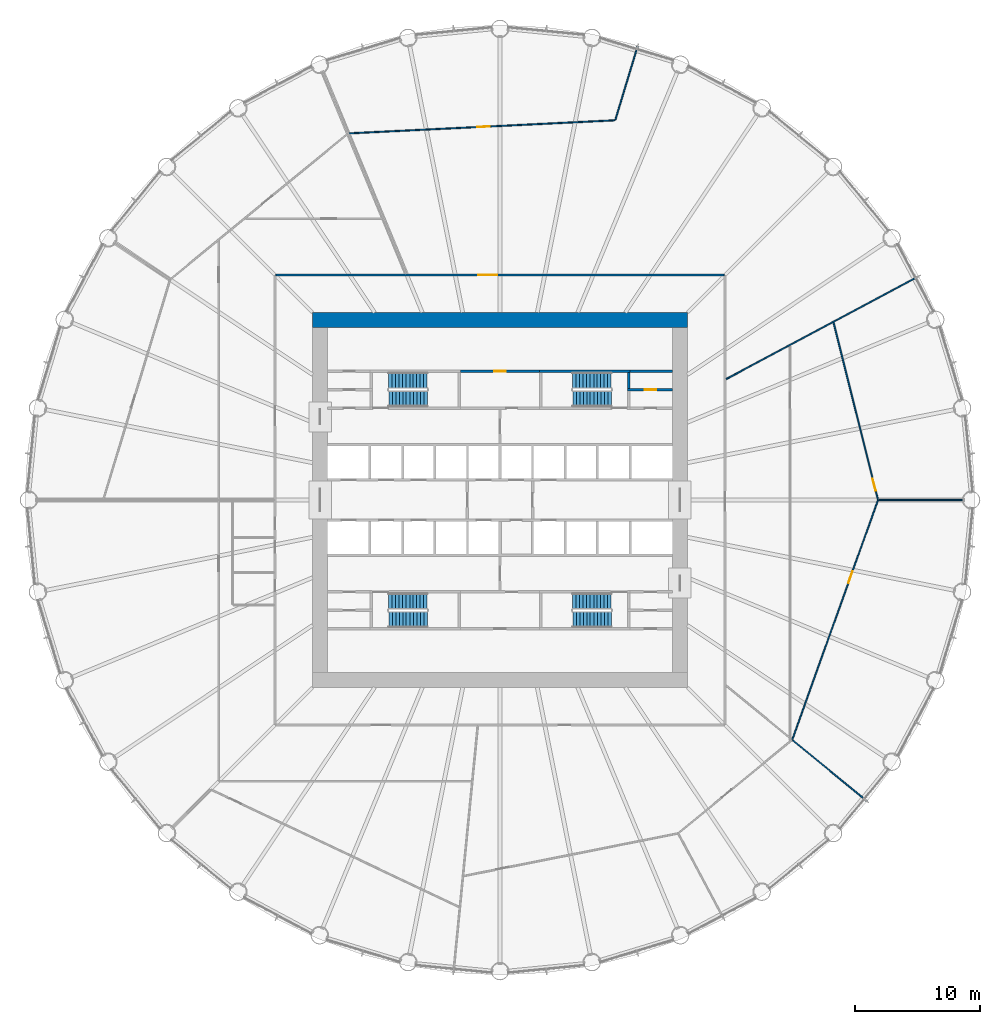
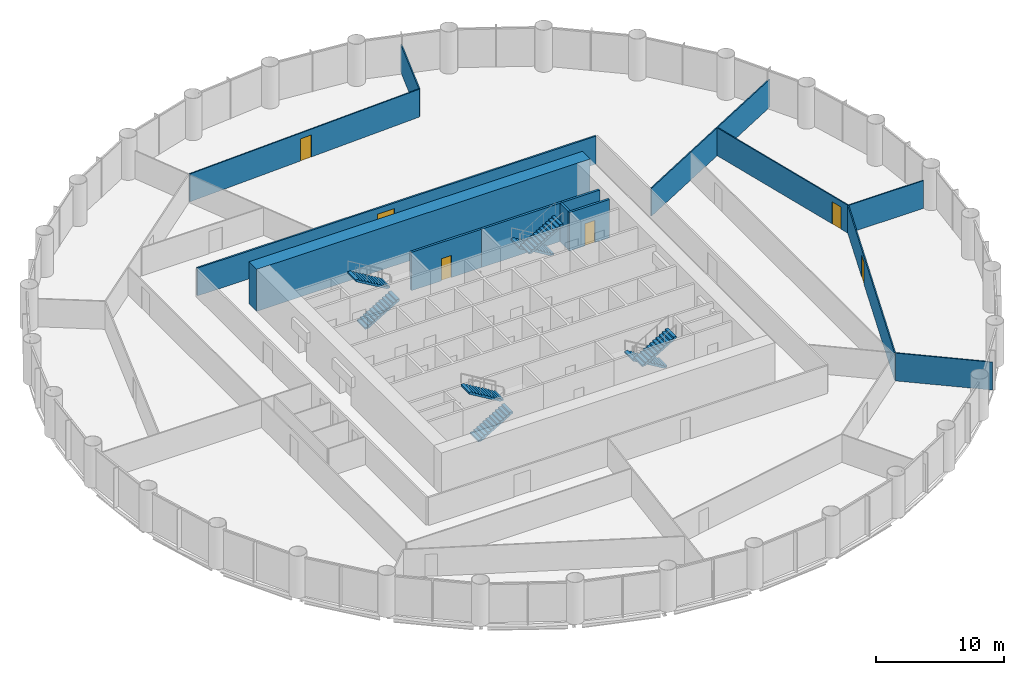
# One storey, part 13 of 14: 14 walls, 8 stair flights, 6 doors, 6 openings, 4 elements without a shape of their own.
"""IFC4 building model written with IfcOpenShell, lengths in metres."""

from ifc_helpers import new_model, si_unit, direction, frame, frame_2d, origin, place, context, subcontext, project, spatial, polyline, rectangle, outline, extrude, material, layer, layer_set, type_object, element, fill, aggregate, save


model = new_model("IFC4")

# Units and contexts
model_context = context("Model", 3, precision=1e-05, world=origin(), true_north=direction((0.0, 1.0)))
body_context = subcontext(model_context, "Body", "Model", "MODEL_VIEW")
ifc_project = project(units=[si_unit("LENGTHUNIT", "METRE"), si_unit("AREAUNIT", "SQUARE_METRE"), si_unit("VOLUMEUNIT", "CUBIC_METRE"), si_unit("PLANEANGLEUNIT", "RADIAN"), si_unit("MASSUNIT", "GRAM", prefix="KILO")], contexts=[model_context])

# Site, building, storey
site_placement = place(None, origin())
site = spatial("IfcSite", under=ifc_project, at=site_placement, CompositionType="ELEMENT")
building_placement = place(site_placement, origin())
building = spatial("IfcBuilding", under=site, at=building_placement, Name="Corvane Civic Tower", CompositionType="ELEMENT")
storey_placement = place(building_placement, frame((0.0, 0.0, 81.0)))
storey = spatial("IfcBuildingStorey", under=building, at=storey_placement, Name="L18", CompositionType="ELEMENT", Elevation=81.0)

# Wall
ifc_material_1 = material(Name="Concrete C80/95", Category="concrete")
ifc_layer_1 = layer(ifc_material_1, 1.199951171875)
ifc_layer_set_1 = layer_set([ifc_layer_1], Name="Concrete C80/95")
wall_type_1 = type_object("IfcWallType", Name="CORE WALL 1200 C80/95", PredefinedType="SHEAR", material=ifc_layer_set_1)
wall_1_placement = place(storey_placement, frame((-15.0, 14.39990234375, 0.0), z_axis=(0.0, 0.0, 1.0), x_axis=(1.0, 0.0, 0.0)))
element("IfcWall", 1, at=wall_1_placement, inside=storey, type_object=wall_type_1, Name="W-L18-core-N", PredefinedType="SHEAR", context=body_context, shape_type="SweptSolid", body=[
    extrude(rectangle(XDim=30.0, YDim=1.199951171875, at=frame_2d((15.0, 0.0))), origin(), (0.0, 0.0, 1.0), 4.0),
])

# Wall, opening, door
ifc_material_2 = material(Name="Concrete C30/37", Category="concrete")
ifc_layer_2 = layer(ifc_material_2, 0.199951171875)
ifc_layer_set_2 = layer_set([ifc_layer_2], Name="Concrete C30/37")
wall_type_2 = type_object("IfcWallType", Name="CR-WALL-200", PredefinedType="PARTITIONING", material=ifc_layer_set_2)
wall_2_placement = place(storey_placement, frame((10.199951171875, 8.824951171875, 0.0), z_axis=(0.0, 0.0, 1.0), x_axis=(1.0, 0.0, 0.0)))
wall_2 = element("IfcWall", 2, at=wall_2_placement, inside=storey, type_object=wall_type_2, Name="L18 partition wall", PredefinedType="PARTITIONING", context=body_context, shape_type="SweptSolid", body=[
    extrude(rectangle(XDim=3.60009765625, YDim=0.199951171875, at=frame_2d((1.800048828125, 0.0))), origin(), (0.0, 0.0, 1.0), 3.64990234375),
])
opening_1_placement = place(wall_2_placement, frame((1.39990234375, 0.0, 0.0)))
opening_1 = element("IfcOpeningElement", 3, at=opening_1_placement, cuts=wall_2, Name="Opening L18.C12", PredefinedType="OPENING", context=body_context, shape_type="SweptSolid", body=[
    extrude(rectangle(XDim=0.89990234375, YDim=2.10009765625, at=frame_2d((0.449951171875, 1.050048828125))), frame((0.0, 0.10986328125, 0.0), z_axis=(0.0, -1.0, 0.0), x_axis=(1.0, 0.0, 0.0)), (0.0, 0.0, 1.0), 0.219970703125),
])
ifc_material_3 = material(Name="Steel fire door leaf", Category="steel")
door_type_1 = type_object("IfcDoorType", Name="CR-DOOR-900", OperationType="SINGLE_SWING_LEFT", PredefinedType="DOOR", material=ifc_material_3)
door_1_placement = place(opening_1_placement, origin())
door_1 = element("IfcDoor", 4, at=door_1_placement, inside=storey, type_object=door_type_1, Name="L18 door", OperationType="SINGLE_SWING_LEFT", OverallHeight=2.10009765625, OverallWidth=0.89990234375, PredefinedType="DOOR", context=body_context, shape_type="SweptSolid", body=[
    extrude(rectangle(XDim=0.89990234375, YDim=2.10009765625, at=frame_2d((0.449951171875, 1.050048828125))), frame((0.0, 0.02490234375, 0.0), z_axis=(0.0, -1.0, 0.0), x_axis=(1.0, 0.0, 0.0)), (0.0, 0.0, 1.0), 0.050048828125),
])
fill(opening_1, door_1)

wall_3_placement = place(storey_placement, frame((-3.14990234375, 10.300048828125, 0.0), z_axis=(0.0, 0.0, 1.0), x_axis=(1.0, 0.0, 0.0)))
wall_3 = element("IfcWall", 5, at=wall_3_placement, inside=storey, type_object=wall_type_2, Name="L18 partition wall", PredefinedType="PARTITIONING", context=body_context, shape_type="SweptSolid", body=[
    extrude(rectangle(XDim=6.2998046875, YDim=0.199951171875, at=frame_2d((3.14990234375, 0.0))), origin(), (0.0, 0.0, 1.0), 3.64990234375),
])
opening_2_placement = place(wall_3_placement, frame((2.699951171875, 0.0, 0.0)))
opening_2 = element("IfcOpeningElement", 6, at=opening_2_placement, cuts=wall_3, Name="Opening L18.C04", PredefinedType="OPENING", context=body_context, shape_type="SweptSolid", body=[
    extrude(rectangle(XDim=0.89990234375, YDim=2.10009765625, at=frame_2d((0.449951171875, 1.050048828125))), frame((0.0, 0.10986328125, 0.0), z_axis=(0.0, -1.0, 0.0), x_axis=(1.0, 0.0, 0.0)), (0.0, 0.0, 1.0), 0.219970703125),
])
door_2_placement = place(opening_2_placement, origin())
door_2 = element("IfcDoor", 7, at=door_2_placement, inside=storey, type_object=door_type_1, Name="L18 door", OperationType="SINGLE_SWING_LEFT", OverallHeight=2.10009765625, OverallWidth=0.89990234375, PredefinedType="DOOR", context=body_context, shape_type="SweptSolid", body=[
    extrude(rectangle(XDim=0.89990234375, YDim=2.10009765625, at=frame_2d((0.449951171875, 1.050048828125))), frame((0.0, 0.02490234375, 0.0), z_axis=(0.0, -1.0, 0.0), x_axis=(1.0, 0.0, 0.0)), (0.0, 0.0, 1.0), 0.050048828125),
])
fill(opening_2, door_2)

# Walls
wall_4_placement = place(storey_placement, origin())
element("IfcWall", 8, at=wall_4_placement, inside=storey, type_object=wall_type_2, Name="L18 core partition wall", PredefinedType="PARTITIONING", context=body_context, shape_type="SweptSolid", body=[
    extrude(outline(polyline([(10.39990234375, 10.199951171875), (10.39990234375, 10.39990234375), (13.800048828125, 10.39990234375), (13.800048828125, 10.199951171875), (10.39990234375, 10.199951171875)])), origin(), (0.0, 0.0, 1.0), 3.64990234375),
])
ifc_material_4 = material(Name="Plasterboard")
ifc_layer_3 = layer(ifc_material_4, 0.10009765625)
ifc_layer_set_3 = layer_set([ifc_layer_3], Name="Plasterboard")
wall_type_3 = type_object("IfcWallType", Name="Partition 100 plasterboard on studs", PredefinedType="PARTITIONING", material=ifc_layer_set_3)
wall_5_placement = place(storey_placement, frame((23.408203125, -19.210693359375, 0.0), z_axis=(0.0, 0.0, 1.0), x_axis=(0.773027331533, -0.634372717496, 0.0)))
element("IfcWall", 9, at=wall_5_placement, inside=storey, type_object=wall_type_3, Name="Partition L18.007", PredefinedType="PARTITIONING", context=body_context, shape_type="SweptSolid", body=[
    extrude(rectangle(XDim=7.668212890625, YDim=0.10009765625, at=frame_2d((3.833984375, 0.0))), origin(), (0.0, 0.0, 1.0), 2.64990234375),
])

# Wall, opening, door
wall_6_placement = place(storey_placement, frame((23.388427734375, -19.151611328125, 0.0), z_axis=(0.0, 0.0, 1.0), x_axis=(0.336885502115, 0.941545622083, 0.0)))
wall_6 = element("IfcWall", 10, at=wall_6_placement, inside=storey, type_object=wall_type_3, Name="Partition L18.011", PredefinedType="PARTITIONING", context=body_context, shape_type="SweptSolid", body=[
    extrude(rectangle(XDim=20.305419921875, YDim=0.10009765625, at=frame_2d((10.15283203125, 0.0))), origin(), (0.0, 0.0, 1.0), 2.64990234375),
])
opening_3_placement = place(wall_6_placement, frame((13.295166015625, 0.0, 0.0)))
opening_3 = element("IfcOpeningElement", 11, at=opening_3_placement, cuts=wall_6, Name="Opening L18.004", PredefinedType="OPENING", context=body_context, shape_type="SweptSolid", body=[
    extrude(rectangle(XDim=1.0, YDim=2.10009765625, at=frame_2d((0.5, 1.050048828125))), frame((0.0, 0.06005859375, 0.0), z_axis=(0.0, -1.0, 0.0), x_axis=(1.0, 0.0, 0.0)), (0.0, 0.0, 1.0), 0.1201171875),
])
ifc_material_5 = material(Name="Timber", Category="wood")
door_type_2 = type_object("IfcDoorType", Name="Single door 1000", OperationType="NOTDEFINED", PredefinedType="DOOR", material=ifc_material_5)
door_3_placement = place(opening_3_placement, frame((1.0, 0.0, 0.0), z_axis=(0.0, 0.0, 1.0), x_axis=(-1.0, 0.0, 0.0)))
door_3 = element("IfcDoor", 12, at=door_3_placement, inside=storey, type_object=door_type_2, Name="Door L18.004", OperationType="SINGLE_SWING_LEFT", OverallHeight=2.10009765625, OverallWidth=1.0, PredefinedType="DOOR", context=body_context, shape_type="SweptSolid", body=[
    extrude(rectangle(XDim=1.0, YDim=2.10009765625, at=frame_2d((0.5, 1.050048828125))), frame((0.0, 0.02490234375, 0.0), z_axis=(0.0, -1.0, 0.0), x_axis=(1.0, 0.0, 0.0)), (0.0, 0.0, 1.0), 0.050048828125),
])
fill(opening_3, door_3)

# Wall
wall_7_placement = place(storey_placement, frame((30.280029296875, 0.0, 0.0), z_axis=(0.0, 0.0, 1.0), x_axis=(1.0, 0.0, 0.0)))
element("IfcWall", 13, at=wall_7_placement, inside=storey, type_object=wall_type_3, Name="Partition L18.022", PredefinedType="PARTITIONING", context=body_context, shape_type="SweptSolid", body=[
    extrude(rectangle(XDim=6.7099609375, YDim=0.10009765625, at=frame_2d((3.35498046875, 0.0))), origin(), (0.0, 0.0, 1.0), 2.64990234375),
])

# Wall, opening, door
wall_8_placement = place(storey_placement, frame((26.685546875, 14.193359375, 0.0), z_axis=(0.0, 0.0, 1.0), x_axis=(0.242988296058, -0.970029220168, 0.0)))
wall_8 = element("IfcWall", 14, at=wall_8_placement, inside=storey, type_object=wall_type_3, Name="Partition L18.023", PredefinedType="PARTITIONING", context=body_context, shape_type="SweptSolid", body=[
    extrude(rectangle(XDim=14.5927734375, YDim=0.10009765625, at=frame_2d((7.29638671875, 0.0))), origin(), (0.0, 0.0, 1.0), 2.64990234375),
])
opening_4_placement = place(wall_8_placement, frame((12.87353515625, 0.0, 0.0)))
opening_4 = element("IfcOpeningElement", 15, at=opening_4_placement, cuts=wall_8, Name="Opening L18.003", PredefinedType="OPENING", context=body_context, shape_type="SweptSolid", body=[
    extrude(rectangle(XDim=1.0, YDim=2.10009765625, at=frame_2d((0.5, 1.050048828125))), frame((0.0, 0.06005859375, 0.0), z_axis=(0.0, -1.0, 0.0), x_axis=(1.0, 0.0, 0.0)), (0.0, 0.0, 1.0), 0.1201171875),
])
door_4_placement = place(opening_4_placement, origin())
door_4 = element("IfcDoor", 16, at=door_4_placement, inside=storey, type_object=door_type_2, Name="Door L18.003", OperationType="SINGLE_SWING_RIGHT", OverallHeight=2.10009765625, OverallWidth=1.0, PredefinedType="DOOR", context=body_context, shape_type="SweptSolid", body=[
    extrude(rectangle(XDim=1.0, YDim=2.10009765625, at=frame_2d((0.5, 1.050048828125))), frame((0.0, 0.02490234375, 0.0), z_axis=(0.0, -1.0, 0.0), x_axis=(1.0, 0.0, 0.0)), (0.0, 0.0, 1.0), 0.050048828125),
])
fill(opening_4, door_4)

# Wall
wall_9_placement = place(storey_placement, frame((18.0986328125, 9.673828125, 0.0), z_axis=(0.0, 0.0, 1.0), x_axis=(0.881916707753, 0.471405261517, 0.0)))
element("IfcWall", 17, at=wall_9_placement, inside=storey, type_object=wall_type_3, Name="Partition L18.025", PredefinedType="PARTITIONING", context=body_context, shape_type="SweptSolid", body=[
    extrude(rectangle(XDim=17.428466796875, YDim=0.10009765625, at=frame_2d((8.71435546875, 0.0))), origin(), (0.0, 0.0, 1.0), 2.64990234375),
])

# Wall, opening, door
wall_10_placement = place(storey_placement, frame((-12.076416015625, 29.330078125, 0.0), z_axis=(0.0, 0.0, 1.0), x_axis=(0.998795529812, 0.049066175999, 0.0)))
wall_10 = element("IfcWall", 18, at=wall_10_placement, inside=storey, type_object=wall_type_3, Name="Partition L18.031", PredefinedType="PARTITIONING", context=body_context, shape_type="SweptSolid", body=[
    extrude(rectangle(XDim=21.28125, YDim=0.10009765625, at=frame_2d((10.640625, 0.0))), origin(), (0.0, 0.0, 1.0), 2.64990234375),
])
opening_5_placement = place(wall_10_placement, frame((10.26123046875, 0.0, 0.0)))
opening_5 = element("IfcOpeningElement", 19, at=opening_5_placement, cuts=wall_10, Name="Opening L18.001", PredefinedType="OPENING", context=body_context, shape_type="SweptSolid", body=[
    extrude(rectangle(XDim=1.0, YDim=2.10009765625, at=frame_2d((0.5, 1.050048828125))), frame((0.0, 0.06005859375, 0.0), z_axis=(0.0, -1.0, 0.0), x_axis=(1.0, 0.0, 0.0)), (0.0, 0.0, 1.0), 0.1201171875),
])
door_5_placement = place(opening_5_placement, origin())
door_5 = element("IfcDoor", 20, at=door_5_placement, inside=storey, type_object=door_type_2, Name="Door L18.001", OperationType="SINGLE_SWING_LEFT", OverallHeight=2.10009765625, OverallWidth=1.0, PredefinedType="DOOR", context=body_context, shape_type="SweptSolid", body=[
    extrude(rectangle(XDim=1.0, YDim=2.10009765625, at=frame_2d((0.5, 1.050048828125))), frame((0.0, 0.02490234375, 0.0), z_axis=(0.0, -1.0, 0.0), x_axis=(1.0, 0.0, 0.0)), (0.0, 0.0, 1.0), 0.050048828125),
])
fill(opening_5, door_5)

# Walls
wall_11_placement = place(storey_placement, frame((9.224609375, 30.40966796875, 0.0), z_axis=(0.0, 0.0, 1.0), x_axis=(0.290289519442, 0.956938866857, 0.0)))
element("IfcWall", 21, at=wall_11_placement, inside=storey, type_object=wall_type_3, Name="Partition L18.032", PredefinedType="PARTITIONING", context=body_context, shape_type="SweptSolid", body=[
    extrude(rectangle(XDim=6.17236328125, YDim=0.10009765625, at=frame_2d((3.086181640625, 0.0))), origin(), (0.0, 0.0, 1.0), 2.64990234375),
])
ifc_material_6 = material(Name="Concrete C50/60", Category="concrete")
ifc_layer_4 = layer(ifc_material_6, 0.199951171875)
ifc_layer_set_4 = layer_set([ifc_layer_4], Name="Concrete C50/60")
wall_type_4 = type_object("IfcWallType", Name="ST-WALL-200", PredefinedType="SHEAR", material=ifc_layer_set_4)
wall_12_placement = place(storey_placement, origin())
element("IfcWall", 22, at=wall_12_placement, inside=storey, type_object=wall_type_4, Name="L18 stair enclosure wall", PredefinedType="SHEAR", context=body_context, shape_type="SweptSolid", body=[
    extrude(outline(polyline([(10.39990234375, 10.199951171875), (3.14990234375, 10.199951171875), (3.14990234375, 10.39990234375), (10.39990234375, 10.39990234375), (10.39990234375, 10.199951171875)])), origin(), (0.0, 0.0, 1.0), 3.64990234375),
])
wall_13_placement = place(storey_placement, origin())
element("IfcWall", 23, at=wall_13_placement, inside=storey, type_object=wall_type_4, Name="L18 stair enclosure wall", PredefinedType="SHEAR", context=body_context, shape_type="SweptSolid", body=[
    extrude(outline(polyline([(10.39990234375, 8.925048828125), (10.199951171875, 8.925048828125), (10.199951171875, 10.199951171875), (10.39990234375, 10.199951171875), (10.39990234375, 8.925048828125)])), origin(), (0.0, 0.0, 1.0), 3.64990234375),
])

# Wall, opening, door
ifc_material_7 = material(Name="Plasterboard")
ifc_layer_5 = layer(ifc_material_7, 0.14990234375)
ifc_layer_set_5 = layer_set([ifc_layer_5], Name="Plasterboard")
wall_type_5 = type_object("IfcWallType", Name="Tenancy wall 150 EI 60", PredefinedType="PARTITIONING", material=ifc_layer_set_5)
wall_14_placement = place(storey_placement, frame((-17.925048828125, 18.0, 0.0), z_axis=(0.0, 0.0, 1.0), x_axis=(1.0, 0.0, 0.0)))
wall_14 = element("IfcWall", 24, at=wall_14_placement, inside=storey, type_object=wall_type_5, Name="Partition L18.028", PredefinedType="PARTITIONING", context=body_context, shape_type="SweptSolid", body=[
    extrude(rectangle(XDim=35.85009765625, YDim=0.14990234375, at=frame_2d((17.925048828125, 0.0))), origin(), (0.0, 0.0, 1.0), 2.64990234375),
])
opening_6_placement = place(wall_14_placement, frame((16.193603515625, 0.0, 0.0)))
opening_6 = element("IfcOpeningElement", 25, at=opening_6_placement, cuts=wall_14, Name="Opening L18.002", PredefinedType="OPENING", context=body_context, shape_type="SweptSolid", body=[
    extrude(rectangle(XDim=1.5, YDim=2.10009765625, at=frame_2d((0.75, 1.050048828125))), frame((0.0, 0.0849609375, 0.0), z_axis=(0.0, -1.0, 0.0), x_axis=(1.0, 0.0, 0.0)), (0.0, 0.0, 1.0), 0.169921875),
])
ifc_material_8 = material(Name="Steel and timber", Category="steel")
door_type_3 = type_object("IfcDoorType", Name="Fire door FD60 double 1500", OperationType="NOTDEFINED", PredefinedType="DOOR", material=ifc_material_8)
door_6_placement = place(opening_6_placement, origin())
door_6 = element("IfcDoor", 26, at=door_6_placement, inside=storey, type_object=door_type_3, Name="Door L18.002", OperationType="DOUBLE_DOOR_SINGLE_SWING", OverallHeight=2.10009765625, OverallWidth=1.5, PredefinedType="DOOR", context=body_context, shape_type="SweptSolid", body=[
    extrude(rectangle(XDim=1.5, YDim=2.10009765625, at=frame_2d((0.75, 1.050048828125))), frame((0.0, 0.02490234375, 0.0), z_axis=(0.0, -1.0, 0.0), x_axis=(1.0, 0.0, 0.0)), (0.0, 0.0, 1.0), 0.050048828125),
])
fill(opening_6, door_6)

# Stair, stair flights
ifc_material_9 = material(Name="Concrete C40/50", Category="concrete")
stair_type = type_object("IfcStairType", Name="ST-STAIR-HALFTURN", PredefinedType="HALF_TURN_STAIR", material=ifc_material_9)
stair_1_placement = place(storey_placement, origin())
stair_1 = element("IfcStair", 27, at=stair_1_placement, inside=storey, type_object=stair_type, Name="L18 Exit stair ST1", PredefinedType="HALF_TURN_STAIR")
ifc_material_10 = material(Name="Concrete C40/50", Category="concrete")
stair_flight_type = type_object("IfcStairFlightType", Name="ST-FLIGHT-RC", PredefinedType="STRAIGHT", material=ifc_material_10)
stair_flight_1_placement = place(storey_placement, frame((8.89990234375, 9.550048828125, 0.0), z_axis=(0.0, 0.0, 1.0), x_axis=(-1.0, 0.0, 0.0)))
stair_flight_1 = element("IfcStairFlight", 28, at=stair_flight_1_placement, type_object=stair_flight_type, Name="ST1 flight 1", NumberOfRisers=12, NumberOfTreads=11, PredefinedType="STRAIGHT", RiserHeight=0.166666667, TreadLength=0.28, context=body_context, shape_type="SweptSolid", body=[
    extrude(outline(polyline([(0.0, 0.0), (0.0, 0.166748046875), (0.280029296875, 0.166748046875), (0.280029296875, 0.333251953125), (0.56005859375, 0.333251953125), (0.56005859375, 0.5), (0.840087890625, 0.5), (0.840087890625, 0.666748046875), (1.1201171875, 0.666748046875), (1.1201171875, 0.833251953125), (1.39990234375, 0.833251953125), (1.39990234375, 1.0), (1.679931640625, 1.0), (1.679931640625, 1.166748046875), (1.9599609375, 1.166748046875), (1.9599609375, 1.333251953125), (2.239990234375, 1.333251953125), (2.239990234375, 1.5), (2.52001953125, 1.5), (2.52001953125, 1.666748046875), (2.800048828125, 1.666748046875), (2.800048828125, 1.833251953125), (3.080078125, 1.833251953125), (3.080078125, 2.0), (3.080078125, 1.658935546875), (0.29296875, 0.0), (0.0, 0.0)])), frame((0.0, 0.64990234375, 0.0), z_axis=(0.0, -1.0, 0.0), x_axis=(1.0, 0.0, 0.0)), (0.0, 0.0, 1.0), 1.300048828125),
])
stair_flight_2_placement = place(storey_placement, frame((5.820068359375, 8.10009765625, 2.0), z_axis=(0.0, 0.0, 1.0), x_axis=(1.0, 0.0, 0.0)))
stair_flight_2 = element("IfcStairFlight", 29, at=stair_flight_2_placement, type_object=stair_flight_type, Name="ST1 flight 2", NumberOfRisers=12, NumberOfTreads=11, PredefinedType="STRAIGHT", RiserHeight=0.166666667, TreadLength=0.28, context=body_context, shape_type="SweptSolid", body=[
    extrude(outline(polyline([(0.0, 0.0), (0.0, 0.166748046875), (0.280029296875, 0.166748046875), (0.280029296875, 0.333251953125), (0.56005859375, 0.333251953125), (0.56005859375, 0.5), (0.840087890625, 0.5), (0.840087890625, 0.666748046875), (1.1201171875, 0.666748046875), (1.1201171875, 0.833251953125), (1.39990234375, 0.833251953125), (1.39990234375, 1.0), (1.679931640625, 1.0), (1.679931640625, 1.166748046875), (1.9599609375, 1.166748046875), (1.9599609375, 1.333251953125), (2.239990234375, 1.333251953125), (2.239990234375, 1.5), (2.52001953125, 1.5), (2.52001953125, 1.666748046875), (2.800048828125, 1.666748046875), (2.800048828125, 1.833251953125), (3.080078125, 1.833251953125), (3.080078125, 2.0), (3.080078125, 1.658935546875), (0.29296875, 0.0), (0.0, 0.0)])), frame((0.0, 0.64990234375, 0.0), z_axis=(0.0, -1.0, 0.0), x_axis=(1.0, 0.0, 0.0)), (0.0, 0.0, 1.0), 1.300048828125),
])
aggregate(stair_1, [stair_flight_1, stair_flight_2])

stair_2_placement = place(storey_placement, origin())
stair_2 = element("IfcStair", 30, at=stair_2_placement, inside=storey, type_object=stair_type, Name="L18 Exit stair ST2", PredefinedType="HALF_TURN_STAIR")
stair_flight_3_placement = place(storey_placement, frame((8.89990234375, -8.10009765625, 0.0), z_axis=(0.0, 0.0, 1.0), x_axis=(-1.0, 0.0, 0.0)))
stair_flight_3 = element("IfcStairFlight", 31, at=stair_flight_3_placement, type_object=stair_flight_type, Name="ST2 flight 1", NumberOfRisers=12, NumberOfTreads=11, PredefinedType="STRAIGHT", RiserHeight=0.166666667, TreadLength=0.28, context=body_context, shape_type="SweptSolid", body=[
    extrude(outline(polyline([(0.0, 0.0), (0.0, 0.166748046875), (0.280029296875, 0.166748046875), (0.280029296875, 0.333251953125), (0.56005859375, 0.333251953125), (0.56005859375, 0.5), (0.840087890625, 0.5), (0.840087890625, 0.666748046875), (1.1201171875, 0.666748046875), (1.1201171875, 0.833251953125), (1.39990234375, 0.833251953125), (1.39990234375, 1.0), (1.679931640625, 1.0), (1.679931640625, 1.166748046875), (1.9599609375, 1.166748046875), (1.9599609375, 1.333251953125), (2.239990234375, 1.333251953125), (2.239990234375, 1.5), (2.52001953125, 1.5), (2.52001953125, 1.666748046875), (2.800048828125, 1.666748046875), (2.800048828125, 1.833251953125), (3.080078125, 1.833251953125), (3.080078125, 2.0), (3.080078125, 1.658935546875), (0.29296875, 0.0), (0.0, 0.0)])), frame((0.0, 0.64990234375, 0.0), z_axis=(0.0, -1.0, 0.0), x_axis=(1.0, 0.0, 0.0)), (0.0, 0.0, 1.0), 1.300048828125),
])
stair_flight_4_placement = place(storey_placement, frame((5.820068359375, -9.550048828125, 2.0), z_axis=(0.0, 0.0, 1.0), x_axis=(1.0, 0.0, 0.0)))
stair_flight_4 = element("IfcStairFlight", 32, at=stair_flight_4_placement, type_object=stair_flight_type, Name="ST2 flight 2", NumberOfRisers=12, NumberOfTreads=11, PredefinedType="STRAIGHT", RiserHeight=0.166666667, TreadLength=0.28, context=body_context, shape_type="SweptSolid", body=[
    extrude(outline(polyline([(0.0, 0.0), (0.0, 0.166748046875), (0.280029296875, 0.166748046875), (0.280029296875, 0.333251953125), (0.56005859375, 0.333251953125), (0.56005859375, 0.5), (0.840087890625, 0.5), (0.840087890625, 0.666748046875), (1.1201171875, 0.666748046875), (1.1201171875, 0.833251953125), (1.39990234375, 0.833251953125), (1.39990234375, 1.0), (1.679931640625, 1.0), (1.679931640625, 1.166748046875), (1.9599609375, 1.166748046875), (1.9599609375, 1.333251953125), (2.239990234375, 1.333251953125), (2.239990234375, 1.5), (2.52001953125, 1.5), (2.52001953125, 1.666748046875), (2.800048828125, 1.666748046875), (2.800048828125, 1.833251953125), (3.080078125, 1.833251953125), (3.080078125, 2.0), (3.080078125, 1.658935546875), (0.29296875, 0.0), (0.0, 0.0)])), frame((0.0, 0.64990234375, 0.0), z_axis=(0.0, -1.0, 0.0), x_axis=(1.0, 0.0, 0.0)), (0.0, 0.0, 1.0), 1.300048828125),
])
aggregate(stair_2, [stair_flight_3, stair_flight_4])

stair_3_placement = place(storey_placement, origin())
stair_3 = element("IfcStair", 33, at=stair_3_placement, inside=storey, type_object=stair_type, Name="L18 Exit stair ST3", PredefinedType="HALF_TURN_STAIR")
stair_flight_5_placement = place(storey_placement, frame((-8.89990234375, -9.550048828125, 0.0), z_axis=(0.0, 0.0, 1.0), x_axis=(1.0, 0.0, 0.0)))
stair_flight_5 = element("IfcStairFlight", 34, at=stair_flight_5_placement, type_object=stair_flight_type, Name="ST3 flight 1", NumberOfRisers=12, NumberOfTreads=11, PredefinedType="STRAIGHT", RiserHeight=0.166666667, TreadLength=0.28, context=body_context, shape_type="SweptSolid", body=[
    extrude(outline(polyline([(0.0, 0.0), (0.0, 0.166748046875), (0.280029296875, 0.166748046875), (0.280029296875, 0.333251953125), (0.56005859375, 0.333251953125), (0.56005859375, 0.5), (0.840087890625, 0.5), (0.840087890625, 0.666748046875), (1.1201171875, 0.666748046875), (1.1201171875, 0.833251953125), (1.39990234375, 0.833251953125), (1.39990234375, 1.0), (1.679931640625, 1.0), (1.679931640625, 1.166748046875), (1.9599609375, 1.166748046875), (1.9599609375, 1.333251953125), (2.239990234375, 1.333251953125), (2.239990234375, 1.5), (2.52001953125, 1.5), (2.52001953125, 1.666748046875), (2.800048828125, 1.666748046875), (2.800048828125, 1.833251953125), (3.080078125, 1.833251953125), (3.080078125, 2.0), (3.080078125, 1.658935546875), (0.29296875, 0.0), (0.0, 0.0)])), frame((0.0, 0.64990234375, 0.0), z_axis=(0.0, -1.0, 0.0), x_axis=(1.0, 0.0, 0.0)), (0.0, 0.0, 1.0), 1.300048828125),
])
stair_flight_6_placement = place(storey_placement, frame((-5.820068359375, -8.10009765625, 2.0), z_axis=(0.0, 0.0, 1.0), x_axis=(-1.0, 0.0, 0.0)))
stair_flight_6 = element("IfcStairFlight", 35, at=stair_flight_6_placement, type_object=stair_flight_type, Name="ST3 flight 2", NumberOfRisers=12, NumberOfTreads=11, PredefinedType="STRAIGHT", RiserHeight=0.166666667, TreadLength=0.28, context=body_context, shape_type="SweptSolid", body=[
    extrude(outline(polyline([(0.0, 0.0), (0.0, 0.166748046875), (0.280029296875, 0.166748046875), (0.280029296875, 0.333251953125), (0.56005859375, 0.333251953125), (0.56005859375, 0.5), (0.840087890625, 0.5), (0.840087890625, 0.666748046875), (1.1201171875, 0.666748046875), (1.1201171875, 0.833251953125), (1.39990234375, 0.833251953125), (1.39990234375, 1.0), (1.679931640625, 1.0), (1.679931640625, 1.166748046875), (1.9599609375, 1.166748046875), (1.9599609375, 1.333251953125), (2.239990234375, 1.333251953125), (2.239990234375, 1.5), (2.52001953125, 1.5), (2.52001953125, 1.666748046875), (2.800048828125, 1.666748046875), (2.800048828125, 1.833251953125), (3.080078125, 1.833251953125), (3.080078125, 2.0), (3.080078125, 1.658935546875), (0.29296875, 0.0), (0.0, 0.0)])), frame((0.0, 0.64990234375, 0.0), z_axis=(0.0, -1.0, 0.0), x_axis=(1.0, 0.0, 0.0)), (0.0, 0.0, 1.0), 1.300048828125),
])
aggregate(stair_3, [stair_flight_5, stair_flight_6])

stair_4_placement = place(storey_placement, origin())
stair_4 = element("IfcStair", 36, at=stair_4_placement, inside=storey, type_object=stair_type, Name="L18 Exit stair ST4", PredefinedType="HALF_TURN_STAIR")
stair_flight_7_placement = place(storey_placement, frame((-8.89990234375, 8.10009765625, 0.0), z_axis=(0.0, 0.0, 1.0), x_axis=(1.0, 0.0, 0.0)))
stair_flight_7 = element("IfcStairFlight", 37, at=stair_flight_7_placement, type_object=stair_flight_type, Name="ST4 flight 1", NumberOfRisers=12, NumberOfTreads=11, PredefinedType="STRAIGHT", RiserHeight=0.166666667, TreadLength=0.28, context=body_context, shape_type="SweptSolid", body=[
    extrude(outline(polyline([(0.0, 0.0), (0.0, 0.166748046875), (0.280029296875, 0.166748046875), (0.280029296875, 0.333251953125), (0.56005859375, 0.333251953125), (0.56005859375, 0.5), (0.840087890625, 0.5), (0.840087890625, 0.666748046875), (1.1201171875, 0.666748046875), (1.1201171875, 0.833251953125), (1.39990234375, 0.833251953125), (1.39990234375, 1.0), (1.679931640625, 1.0), (1.679931640625, 1.166748046875), (1.9599609375, 1.166748046875), (1.9599609375, 1.333251953125), (2.239990234375, 1.333251953125), (2.239990234375, 1.5), (2.52001953125, 1.5), (2.52001953125, 1.666748046875), (2.800048828125, 1.666748046875), (2.800048828125, 1.833251953125), (3.080078125, 1.833251953125), (3.080078125, 2.0), (3.080078125, 1.658935546875), (0.29296875, 0.0), (0.0, 0.0)])), frame((0.0, 0.64990234375, 0.0), z_axis=(0.0, -1.0, 0.0), x_axis=(1.0, 0.0, 0.0)), (0.0, 0.0, 1.0), 1.300048828125),
])
stair_flight_8_placement = place(storey_placement, frame((-5.820068359375, 9.550048828125, 2.0), z_axis=(0.0, 0.0, 1.0), x_axis=(-1.0, 0.0, 0.0)))
stair_flight_8 = element("IfcStairFlight", 38, at=stair_flight_8_placement, type_object=stair_flight_type, Name="ST4 flight 2", NumberOfRisers=12, NumberOfTreads=11, PredefinedType="STRAIGHT", RiserHeight=0.166666667, TreadLength=0.28, context=body_context, shape_type="SweptSolid", body=[
    extrude(outline(polyline([(0.0, 0.0), (0.0, 0.166748046875), (0.280029296875, 0.166748046875), (0.280029296875, 0.333251953125), (0.56005859375, 0.333251953125), (0.56005859375, 0.5), (0.840087890625, 0.5), (0.840087890625, 0.666748046875), (1.1201171875, 0.666748046875), (1.1201171875, 0.833251953125), (1.39990234375, 0.833251953125), (1.39990234375, 1.0), (1.679931640625, 1.0), (1.679931640625, 1.166748046875), (1.9599609375, 1.166748046875), (1.9599609375, 1.333251953125), (2.239990234375, 1.333251953125), (2.239990234375, 1.5), (2.52001953125, 1.5), (2.52001953125, 1.666748046875), (2.800048828125, 1.666748046875), (2.800048828125, 1.833251953125), (3.080078125, 1.833251953125), (3.080078125, 2.0), (3.080078125, 1.658935546875), (0.29296875, 0.0), (0.0, 0.0)])), frame((0.0, 0.64990234375, 0.0), z_axis=(0.0, -1.0, 0.0), x_axis=(1.0, 0.0, 0.0)), (0.0, 0.0, 1.0), 1.300048828125),
])
aggregate(stair_4, [stair_flight_7, stair_flight_8])

save(model, "model.ifc")
